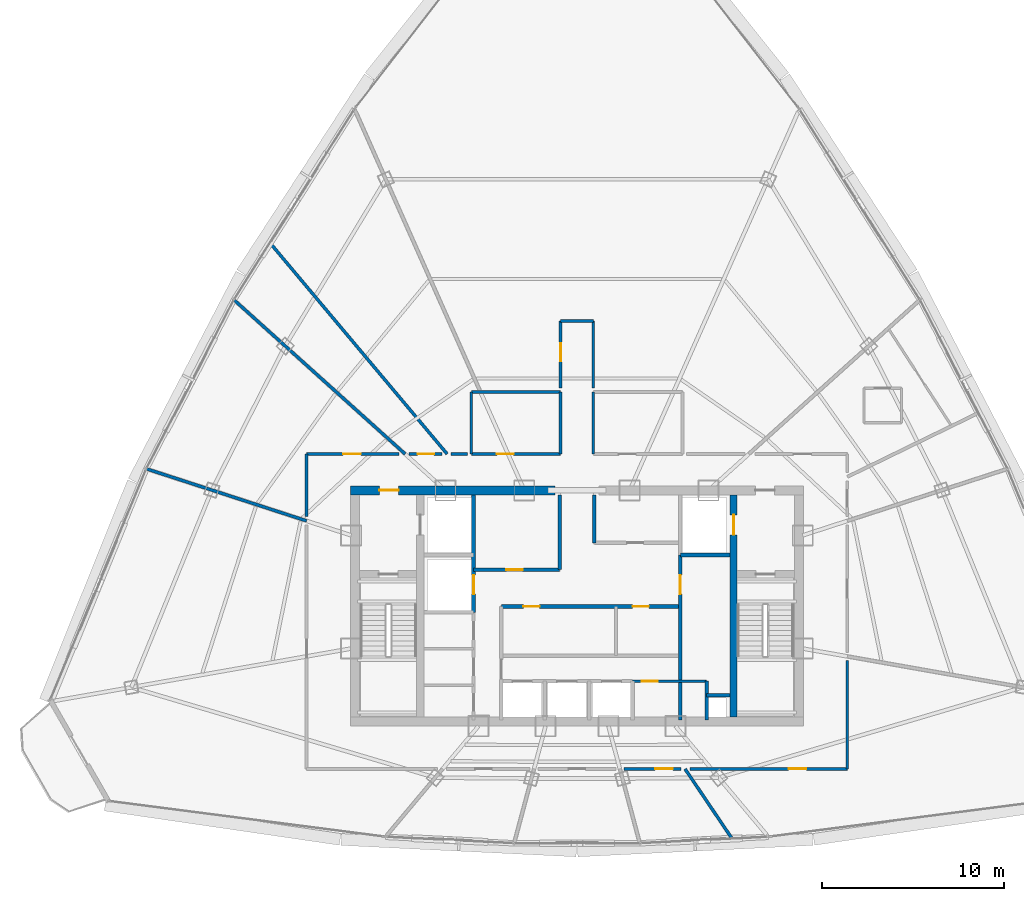
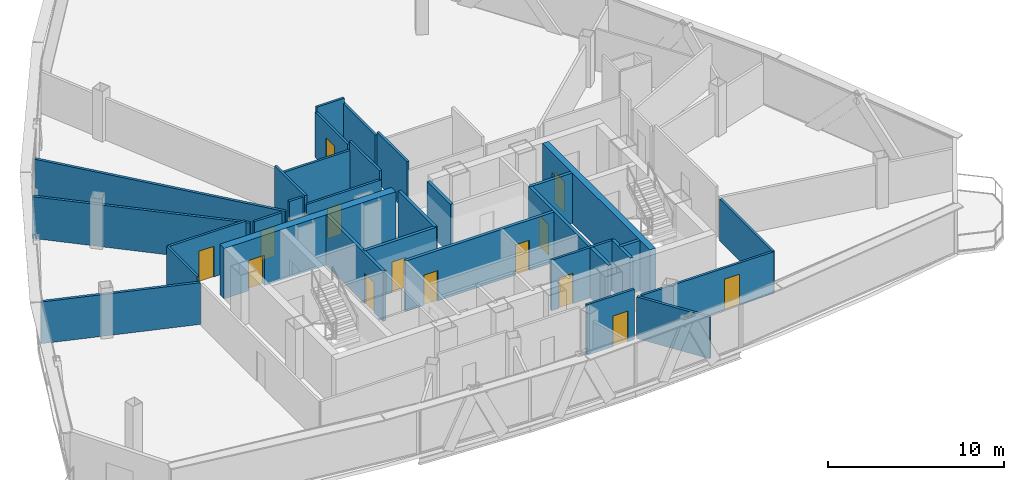
# One storey, part 28 of 33: 31 walls, 14 doors, 14 openings.
"""IFC4 building model written with IfcOpenShell, lengths in metres."""

from ifc_helpers import new_model, si_unit, direction, frame, frame_2d, origin, origin_with_axes, place, context, subcontext, project, spatial, rectangle, extrude, source, transform, mapped, material, layer, layer_set, type_object, element, fill, save


model = new_model("IFC4")

# Units and contexts
model_context = context("Model", 3, precision=1e-05, world=origin(), true_north=direction((0.0, 1.0)))
body_context = subcontext(model_context, "Body", "Model", "MODEL_VIEW")
ifc_project = project(units=[si_unit("LENGTHUNIT", "METRE"), si_unit("AREAUNIT", "SQUARE_METRE"), si_unit("VOLUMEUNIT", "CUBIC_METRE"), si_unit("PLANEANGLEUNIT", "RADIAN"), si_unit("MASSUNIT", "GRAM", prefix="KILO"), si_unit("THERMODYNAMICTEMPERATUREUNIT", "KELVIN"), si_unit("POWERUNIT", "WATT")], contexts=[model_context])

# Site, building, storey
site_placement = place(None, origin())
site = spatial("IfcSite", under=ifc_project, at=site_placement, CompositionType="ELEMENT")
building_placement = place(site_placement, origin())
building = spatial("IfcBuilding", under=site, at=building_placement, Name="Yunzhuo Pagoda Commons", CompositionType="ELEMENT")
storey_placement = place(building_placement, frame((0.0, 0.0, 325.510009765625)))
storey = spatial("IfcBuildingStorey", under=building, at=storey_placement, Name="L81", CompositionType="ELEMENT", Elevation=325.510009765625)

# Wall, opening, door
ifc_material_1 = material(Name="Concrete C50", Category="concrete")
ifc_layer_1 = layer(ifc_material_1, 0.5)
ifc_layer_set_1 = layer_set([ifc_layer_1], Name="Concrete C50")
wall_type_1 = type_object("IfcWallType", Name="W-C03 Upper Core Shear Wall 500", PredefinedType="SHEAR", material=ifc_layer_set_1)
wall_1_placement = place(storey_placement, frame((35.550048828125, 40.199951171875, 0.0), z_axis=(0.0, 0.0, 1.0), x_axis=(1.0, 0.0, 0.0)))
wall_1 = element("IfcWall", 1, at=wall_1_placement, inside=storey, type_object=wall_type_1, Name="L81 core shear wall NW", PredefinedType="SHEAR", context=body_context, shape_type="SweptSolid", body=[
    extrude(rectangle(XDim=11.25, YDim=0.5, at=frame_2d((5.625, 0.0))), origin(), (0.0, 0.0, 1.0), 3.489990234375),
])
opening_1_placement = place(wall_1_placement, frame((1.60009765625, 0.0, 0.0)))
opening_1 = element("IfcOpeningElement", 2, at=opening_1_placement, cuts=wall_1, Name="Opening D-02", PredefinedType="OPENING", context=body_context, shape_type="SweptSolid", body=[
    extrude(rectangle(XDim=1.050048828125, YDim=2.10009765625, at=frame_2d((0.52490234375, 1.050048828125))), frame((0.0, 0.260009765625, 0.0), z_axis=(0.0, -1.0, 0.0), x_axis=(1.0, 0.0, 0.0)), (0.0, 0.0, 1.0), 0.52001953125),
])
ifc_material_2 = material(Name="Galvanized fire-resisting metal leaf")
door_type_1 = type_object("IfcDoorType", Name="D-02 Firefighting Lobby & Refuge Fire Door 1050x2100", OperationType="NOTDEFINED", PredefinedType="DOOR", material=ifc_material_2)
shared_shape_1 = source(origin(), body_context, "Body", "SweptSolid", [
    extrude(rectangle(XDim=1.050048828125, YDim=2.10009765625, at=frame_2d((0.52490234375, 1.050048828125))), frame((0.0, 0.02490234375, 0.0), z_axis=(0.0, -1.0, 0.0), x_axis=(1.0, 0.0, 0.0)), (0.0, 0.0, 1.0), 0.050048828125),
])
door_1_placement = place(opening_1_placement, frame((1.050048828125, 0.0, 0.0), z_axis=(0.0, 0.0, 1.0), x_axis=(-1.0, 0.0, 0.0)))
door_1 = element("IfcDoor", 3, at=door_1_placement, inside=storey, type_object=door_type_1, Name="L81 Firefighting Lobby 1 fire door", OperationType="SINGLE_SWING_LEFT", OverallHeight=2.10009765625, OverallWidth=1.050048828125, PredefinedType="DOOR", context=body_context, shape_type="MappedRepresentation", body=[
    mapped(shared_shape_1, transform((0.0, 0.0, 0.0), scale=1.0)),
])
fill(opening_1, door_1)

ifc_material_3 = material(Name="Gypsum plasterboard on acoustic stud")
ifc_layer_2 = layer(ifc_material_3, 0.14990234375)
ifc_layer_set_2 = layer_set([ifc_layer_2], Name="Gypsum plasterboard on acoustic stud")
wall_type_2 = type_object("IfcWallType", Name="W-COR3 High-Zone Rated Corridor Wall 150", PredefinedType="PARTITIONING", material=ifc_layer_set_2)
wall_2_placement = place(storey_placement, frame((51.050048828125, 29.719970703125, 0.0), z_axis=(0.0, 0.0, 1.0), x_axis=(1.0, 0.0, 0.0)))
wall_2 = element("IfcWall", 4, at=wall_2_placement, inside=storey, type_object=wall_type_2, Name="L81 interior wall IW-L81-CSES", PredefinedType="PARTITIONING", context=body_context, shape_type="SweptSolid", body=[
    extrude(rectangle(XDim=4.070068359375, YDim=0.14990234375, at=frame_2d((2.03515625, 0.0))), origin(), (0.0, 0.0, 1.0), 3.489990234375),
])
opening_2_placement = place(wall_2_placement, frame((0.5, 0.0, 0.0)))
opening_2 = element("IfcOpeningElement", 5, at=opening_2_placement, cuts=wall_2, Name="Opening D-03", PredefinedType="OPENING", context=body_context, shape_type="SweptSolid", body=[
    extrude(rectangle(XDim=0.89990234375, YDim=2.10009765625, at=frame_2d((0.449951171875, 1.050048828125))), frame((0.0, 0.0849609375, 0.0), z_axis=(0.0, -1.0, 0.0), x_axis=(1.0, 0.0, 0.0)), (0.0, 0.0, 1.0), 0.169921875),
])
door_type_2 = type_object("IfcDoorType", Name="D-03 Core Service Fire Door 900x2100", OperationType="NOTDEFINED", PredefinedType="DOOR", material=ifc_material_2)
shared_shape_2 = source(origin(), body_context, "Body", "SweptSolid", [
    extrude(rectangle(XDim=0.89990234375, YDim=2.10009765625, at=frame_2d((0.449951171875, 1.050048828125))), frame((0.0, 0.02490234375, 0.0), z_axis=(0.0, -1.0, 0.0), x_axis=(1.0, 0.0, 0.0)), (0.0, 0.0, 1.0), 0.050048828125),
])
door_2_placement = place(opening_2_placement, origin_with_axes())
door_2 = element("IfcDoor", 6, at=door_2_placement, inside=storey, type_object=door_type_2, Name="L81 core pantry door", OperationType="SINGLE_SWING_RIGHT", OverallHeight=2.10009765625, OverallWidth=0.89990234375, PredefinedType="DOOR", context=body_context, shape_type="MappedRepresentation", body=[
    mapped(shared_shape_2, transform((0.0, 0.0, 0.0), scale=1.0)),
])
fill(opening_2, door_2)

wall_3_placement = place(storey_placement, frame((42.199951171875, 42.199951171875, 0.0), z_axis=(0.0, 0.0, 1.0), x_axis=(1.0, 0.0, 0.0)))
wall_3 = element("IfcWall", 7, at=wall_3_placement, inside=storey, type_object=wall_type_2, Name="L81 interior wall IW-L81-TFWS", PredefinedType="PARTITIONING", context=body_context, shape_type="SweptSolid", body=[
    extrude(rectangle(XDim=4.900146484375, YDim=0.14990234375, at=frame_2d((2.4501953125, 0.0))), origin(), (0.0, 0.0, 1.0), 2.889892578125),
])
opening_3_placement = place(wall_3_placement, frame((1.39990234375, 0.0, 0.0)))
opening_3 = element("IfcOpeningElement", 8, at=opening_3_placement, cuts=wall_3, Name="Opening D-04", PredefinedType="OPENING", context=body_context, shape_type="SweptSolid", body=[
    extrude(rectangle(XDim=0.919921875, YDim=2.10009765625, at=frame_2d((0.4599609375, 1.050048828125))), frame((0.0, 0.0849609375, 0.0), z_axis=(0.0, -1.0, 0.0), x_axis=(1.0, 0.0, 0.0)), (0.0, 0.0, 1.0), 0.169921875),
])
ifc_material_4 = material(Name="Powder-coated aluminium and timber acoustic leaf", Category="wood")
door_type_3 = type_object("IfcDoorType", Name="D-04 Bedroom & Study Interior Door 920x2100", OperationType="NOTDEFINED", PredefinedType="DOOR", material=ifc_material_4)
shared_shape_3 = source(origin(), body_context, "Body", "SweptSolid", [
    extrude(rectangle(XDim=0.919921875, YDim=2.10009765625, at=frame_2d((0.4599609375, 1.050048828125))), frame((0.0, 0.02490234375, 0.0), z_axis=(0.0, -1.0, 0.0), x_axis=(1.0, 0.0, 0.0)), (0.0, 0.0, 1.0), 0.050048828125),
])
door_3_placement = place(opening_3_placement, frame((0.919921875, 0.0, 0.0), z_axis=(0.0, 0.0, 1.0), x_axis=(-1.0, 0.0, 0.0)))
door_3 = element("IfcDoor", 9, at=door_3_placement, inside=storey, type_object=door_type_3, Name="L81 laundry door", OperationType="SINGLE_SWING_LEFT", OverallHeight=2.10009765625, OverallWidth=0.919921875, PredefinedType="DOOR", context=body_context, shape_type="MappedRepresentation", body=[
    mapped(shared_shape_3, transform((0.0, 0.0, 0.0), scale=1.0)),
])
fill(opening_3, door_3)

# Walls
wall_4_placement = place(storey_placement, frame((42.199951171875, 45.60009765625, 0.0), z_axis=(0.0, 0.0, 1.0), x_axis=(1.0, 0.0, 0.0)))
element("IfcWall", 10, at=wall_4_placement, inside=storey, type_object=wall_type_2, Name="L81 interior wall IW-L81-TFWN", PredefinedType="PARTITIONING", context=body_context, shape_type="SweptSolid", body=[
    extrude(rectangle(XDim=4.900146484375, YDim=0.14990234375, at=frame_2d((2.4501953125, 0.0))), origin(), (0.0, 0.0, 1.0), 2.889892578125),
])
for number, where, z_axis, x_axis, name in (
    (11, (42.199951171875, 42.199951171875, 0.0), (0.0, 0.0, 1.0), (0.0, 1.0, 0.0), "L81 interior wall IW-L81-TFWW"),
    (12, (47.10009765625, 42.199951171875, 0.0), (0.0, 0.0, 1.0), (0.0, 1.0, 0.0), "L81 interior wall IW-L81-TFWE"),
    (13, (48.89990234375, 42.199951171875, 0.0), (0.0, 0.0, 1.0), (0.0, 1.0, 0.0), "L81 interior wall IW-L81-TFEW"),
):
    element("IfcWall", number, at=place(storey_placement, frame(where, z_axis=z_axis, x_axis=x_axis)), inside=storey, type_object=wall_type_2, Name=name, PredefinedType="PARTITIONING", context=body_context, shape_type="SweptSolid", body=[
        extrude(rectangle(XDim=3.400146484375, YDim=0.14990234375, at=frame_2d((1.7001953125, 0.0))), origin(), (0.0, 0.0, 1.0), 3.489990234375),
    ])
wall_5_placement = place(storey_placement, frame((33.14990234375, 38.75634765625, 0.0), z_axis=(0.0, 0.0, 1.0), x_axis=(0.0, 1.0, 0.0)))
element("IfcWall", 14, at=wall_5_placement, inside=storey, type_object=wall_type_2, Name="L81 interior wall IW-L81-CWL02", PredefinedType="PARTITIONING", context=body_context, shape_type="SweptSolid", body=[
    extrude(rectangle(XDim=3.443603515625, YDim=0.14990234375, at=frame_2d((1.7216796875, 0.0))), origin(), (0.0, 0.0, 1.0), 3.139892578125),
])

# Wall, opening, door
wall_6_placement = place(storey_placement, frame((33.14990234375, 42.199951171875, 0.0), z_axis=(0.0, 0.0, 1.0), x_axis=(1.0, 0.0, 0.0)))
wall_6 = element("IfcWall", 15, at=wall_6_placement, inside=storey, type_object=wall_type_2, Name="L81 interior wall IW-L81-CWL03", PredefinedType="PARTITIONING", context=body_context, shape_type="SweptSolid", body=[
    extrude(rectangle(XDim=5.0810546875, YDim=0.14990234375, at=frame_2d((2.54052734375, 0.0))), origin(), (0.0, 0.0, 1.0), 3.139892578125),
])
opening_4_placement = place(wall_6_placement, frame((2.0, 0.0, 0.0)))
opening_4 = element("IfcOpeningElement", 16, at=opening_4_placement, cuts=wall_6, Name="Opening D-08", PredefinedType="OPENING", context=body_context, shape_type="SweptSolid", body=[
    extrude(rectangle(XDim=0.97998046875, YDim=2.1201171875, at=frame_2d((0.489990234375, 1.06005859375))), frame((0.0, 0.0849609375, 0.0), z_axis=(0.0, -1.0, 0.0), x_axis=(1.0, 0.0, 0.0)), (0.0, 0.0, 1.0), 0.169921875),
])
door_type_4 = type_object("IfcDoorType", Name="D-08 High-Zone Suite Entrance Fire Door 980x2120", OperationType="NOTDEFINED", PredefinedType="DOOR", material=ifc_material_2)
shared_shape_4 = source(origin(), body_context, "Body", "SweptSolid", [
    extrude(rectangle(XDim=0.97998046875, YDim=2.1201171875, at=frame_2d((0.489990234375, 1.06005859375))), frame((0.0, 0.02490234375, 0.0), z_axis=(0.0, -1.0, 0.0), x_axis=(1.0, 0.0, 0.0)), (0.0, 0.0, 1.0), 0.050048828125),
])
door_4_placement = place(opening_4_placement, origin_with_axes())
door_4 = element("IfcDoor", 17, at=door_4_placement, inside=storey, type_object=door_type_4, Name="L81 unit 07 entrance door", OperationType="SINGLE_SWING_LEFT", OverallHeight=2.1201171875, OverallWidth=0.97998046875, PredefinedType="DOOR", context=body_context, shape_type="MappedRepresentation", body=[
    mapped(shared_shape_4, transform((0.0, 0.0, 0.0), scale=1.0)),
])
fill(opening_4, door_4)

wall_7_placement = place(storey_placement, frame((38.779541015625, 42.199951171875, 0.0), z_axis=(0.0, 0.0, 1.0), x_axis=(1.0, 0.0, 0.0)))
wall_7 = element("IfcWall", 18, at=wall_7_placement, inside=storey, type_object=wall_type_2, Name="L81 interior wall IW-L81-CWL04", PredefinedType="PARTITIONING", context=body_context, shape_type="SweptSolid", body=[
    extrude(rectangle(XDim=1.801025390625, YDim=0.14990234375, at=frame_2d((0.900390625, 0.0))), origin(), (0.0, 0.0, 1.0), 2.889892578125),
])
opening_5_placement = place(wall_7_placement, frame((0.474365234375, 0.0, 0.0)))
opening_5 = element("IfcOpeningElement", 19, at=opening_5_placement, cuts=wall_7, Name="Opening D-12", PredefinedType="OPENING", context=body_context, shape_type="SweptSolid", body=[
    extrude(rectangle(XDim=0.89990234375, YDim=2.080078125, at=frame_2d((0.449951171875, 1.0400390625))), frame((0.0, 0.0849609375, 0.0), z_axis=(0.0, -1.0, 0.0), x_axis=(1.0, 0.0, 0.0)), (0.0, 0.0, 1.0), 0.169921875),
])
door_type_5 = type_object("IfcDoorType", Name="D-12 Quiet Study Interior Door 900x2080", OperationType="NOTDEFINED", PredefinedType="DOOR", material=ifc_material_4)
shared_shape_5 = source(origin(), body_context, "Body", "SweptSolid", [
    extrude(rectangle(XDim=0.89990234375, YDim=2.080078125, at=frame_2d((0.449951171875, 1.0400390625))), frame((0.0, 0.02490234375, 0.0), z_axis=(0.0, -1.0, 0.0), x_axis=(1.0, 0.0, 0.0)), (0.0, 0.0, 1.0), 0.050048828125),
])
door_5_placement = place(opening_5_placement, origin_with_axes())
door_5 = element("IfcDoor", 20, at=door_5_placement, inside=storey, type_object=door_type_5, Name="L81 study lounge 06 door", OperationType="SINGLE_SWING_RIGHT", OverallHeight=2.080078125, OverallWidth=0.89990234375, PredefinedType="DOOR", context=body_context, shape_type="MappedRepresentation", body=[
    mapped(shared_shape_5, transform((0.0, 0.0, 0.0), scale=1.0)),
])
fill(opening_5, door_5)

# Wall
wall_8_placement = place(storey_placement, frame((41.087646484375, 42.199951171875, 0.0), z_axis=(0.0, 0.0, 1.0), x_axis=(1.0, 0.0, 0.0)))
element("IfcWall", 21, at=wall_8_placement, inside=storey, type_object=wall_type_2, Name="L81 interior wall IW-L81-CWL05", PredefinedType="PARTITIONING", context=body_context, shape_type="SweptSolid", body=[
    extrude(rectangle(XDim=0.892333984375, YDim=0.14990234375, at=frame_2d((0.4462890625, 0.0))), origin(), (0.0, 0.0, 1.0), 3.489990234375),
])

# Wall, opening, door
wall_9_placement = place(storey_placement, frame((47.10009765625, 45.820068359375, 0.0), z_axis=(0.0, 0.0, 1.0), x_axis=(0.0, 1.0, 0.0)))
wall_9 = element("IfcWall", 22, at=wall_9_placement, inside=storey, type_object=wall_type_2, Name="L81 interior wall IW-L81-CWL06", PredefinedType="PARTITIONING", context=body_context, shape_type="SweptSolid", body=[
    extrude(rectangle(XDim=3.679931640625, YDim=0.14990234375, at=frame_2d((1.83984375, 0.0))), origin(), (0.0, 0.0, 1.0), 3.139892578125),
])
opening_6_placement = place(wall_9_placement, frame((1.485107421875, 0.0, 0.0)))
opening_6 = element("IfcOpeningElement", 23, at=opening_6_placement, cuts=wall_9, Name="Opening D-08", PredefinedType="OPENING", context=body_context, shape_type="SweptSolid", body=[
    extrude(rectangle(XDim=0.97998046875, YDim=2.1201171875, at=frame_2d((0.489990234375, 1.06005859375))), frame((0.0, 0.0849609375, 0.0), z_axis=(0.0, -1.0, 0.0), x_axis=(1.0, 0.0, 0.0)), (0.0, 0.0, 1.0), 0.169921875),
])
door_6_placement = place(opening_6_placement, origin_with_axes())
door_6 = element("IfcDoor", 24, at=door_6_placement, inside=storey, type_object=door_type_4, Name="L81 Shared Resident Kitchen and Pantry door", OperationType="SINGLE_SWING_RIGHT", OverallHeight=2.1201171875, OverallWidth=0.97998046875, PredefinedType="DOOR", context=body_context, shape_type="MappedRepresentation", body=[
    mapped(shared_shape_4, transform((0.0, 0.0, 0.0), scale=1.0)),
])
fill(opening_6, door_6)

# Walls
wall_10_placement = place(storey_placement, frame((47.10009765625, 49.5, 0.0), z_axis=(0.0, 0.0, 1.0), x_axis=(1.0, 0.0, 0.0)))
element("IfcWall", 25, at=wall_10_placement, inside=storey, type_object=wall_type_2, Name="L81 interior wall IW-L81-CWL07", PredefinedType="PARTITIONING", context=body_context, shape_type="SweptSolid", body=[
    extrude(rectangle(XDim=1.7998046875, YDim=0.14990234375, at=frame_2d((0.89990234375, 0.0))), origin(), (0.0, 0.0, 1.0), 3.489990234375),
])
wall_11_placement = place(storey_placement, frame((48.89990234375, 49.5, 0.0), z_axis=(0.0, 0.0, 1.0), x_axis=(0.0, -1.0, 0.0)))
element("IfcWall", 26, at=wall_11_placement, inside=storey, type_object=wall_type_2, Name="L81 interior wall IW-L81-CWL08", PredefinedType="PARTITIONING", context=body_context, shape_type="SweptSolid", body=[
    extrude(rectangle(XDim=3.679931640625, YDim=0.14990234375, at=frame_2d((1.83984375, 0.0))), origin(), (0.0, 0.0, 1.0), 3.139892578125),
])
wall_12_placement = place(storey_placement, frame((62.85009765625, 30.858154296875, 0.0), z_axis=(0.0, 0.0, 1.0), x_axis=(0.0, -1.0, 0.0)))
element("IfcWall", 27, at=wall_12_placement, inside=storey, type_object=wall_type_2, Name="L81 interior wall IW-L81-CWL14", PredefinedType="PARTITIONING", context=body_context, shape_type="SweptSolid", body=[
    extrude(rectangle(XDim=5.958251953125, YDim=0.14990234375, at=frame_2d((2.97900390625, 0.0))), origin(), (0.0, 0.0, 1.0), 2.889892578125),
])

# Wall, opening, door
wall_13_placement = place(storey_placement, frame((62.85009765625, 24.89990234375, 0.0), z_axis=(0.0, 0.0, 1.0), x_axis=(-1.0, 0.0, 0.0)))
wall_13 = element("IfcWall", 28, at=wall_13_placement, inside=storey, type_object=wall_type_2, Name="L81 interior wall IW-L81-CWL15", PredefinedType="PARTITIONING", context=body_context, shape_type="SweptSolid", body=[
    extrude(rectangle(XDim=8.64892578125, YDim=0.14990234375, at=frame_2d((4.324462890625, 0.0))), origin(), (0.0, 0.0, 1.0), 2.889892578125),
])
opening_7_placement = place(wall_13_placement, frame((2.250244140625, 0.0, 0.0)))
opening_7 = element("IfcOpeningElement", 29, at=opening_7_placement, cuts=wall_13, Name="Opening D-08", PredefinedType="OPENING", context=body_context, shape_type="SweptSolid", body=[
    extrude(rectangle(XDim=0.97998046875, YDim=2.1201171875, at=frame_2d((0.489990234375, 1.06005859375))), frame((0.0, 0.0849609375, 0.0), z_axis=(0.0, -1.0, 0.0), x_axis=(1.0, 0.0, 0.0)), (0.0, 0.0, 1.0), 0.169921875),
])
door_7_placement = place(opening_7_placement, origin_with_axes())
door_7 = element("IfcDoor", 30, at=door_7_placement, inside=storey, type_object=door_type_4, Name="L81 Academic Reading Commons 2 door", OperationType="SINGLE_SWING_RIGHT", OverallHeight=2.1201171875, OverallWidth=0.97998046875, PredefinedType="DOOR", context=body_context, shape_type="MappedRepresentation", body=[
    mapped(shared_shape_4, transform((0.0, 0.0, 0.0), scale=1.0)),
])
fill(opening_7, door_7)

wall_14_placement = place(storey_placement, frame((53.7158203125, 24.89990234375, 0.0), z_axis=(0.0, 0.0, 1.0), x_axis=(-1.0, 0.0, 0.0)))
wall_14 = element("IfcWall", 31, at=wall_14_placement, inside=storey, type_object=wall_type_2, Name="L81 interior wall IW-L81-CWL16", PredefinedType="PARTITIONING", context=body_context, shape_type="SweptSolid", body=[
    extrude(rectangle(XDim=3.130126953125, YDim=0.14990234375, at=frame_2d((1.56494140625, 0.0))), origin(), (0.0, 0.0, 1.0), 3.489990234375),
])
opening_8_placement = place(wall_14_placement, frame((0.449462890625, 0.0, 0.0)))
opening_8 = element("IfcOpeningElement", 32, at=opening_8_placement, cuts=wall_14, Name="Opening D-08", PredefinedType="OPENING", context=body_context, shape_type="SweptSolid", body=[
    extrude(rectangle(XDim=0.97998046875, YDim=2.1201171875, at=frame_2d((0.489990234375, 1.06005859375))), frame((0.0, 0.0849609375, 0.0), z_axis=(0.0, -1.0, 0.0), x_axis=(1.0, 0.0, 0.0)), (0.0, 0.0, 1.0), 0.169921875),
])
door_8_placement = place(opening_8_placement, origin_with_axes())
door_8 = element("IfcDoor", 33, at=door_8_placement, inside=storey, type_object=door_type_4, Name="L81 unit 11 entrance door", OperationType="SINGLE_SWING_LEFT", OverallHeight=2.1201171875, OverallWidth=0.97998046875, PredefinedType="DOOR", context=body_context, shape_type="MappedRepresentation", body=[
    mapped(shared_shape_4, transform((0.0, 0.0, 0.0), scale=1.0)),
])
fill(opening_8, door_8)

# Walls
ifc_layer_3 = layer(ifc_material_3, 0.169921875)
ifc_layer_set_3 = layer_set([ifc_layer_3], Name="Gypsum plasterboard on acoustic stud")
wall_type_3 = type_object("IfcWallType", Name="W-PRT4 High-Zone Demising Wall 170", PredefinedType="PARTITIONING", material=ifc_layer_set_3)
wall_15_placement = place(storey_placement, frame((40.86767578125, 42.199951171875, 0.0), z_axis=(0.0, 0.0, 1.0), x_axis=(-0.642782037032, 0.766049119096, 0.0)))
element("IfcWall", 34, at=wall_15_placement, inside=storey, type_object=wall_type_3, Name="L81 interior wall IW-L81-RAD05", PredefinedType="PARTITIONING", context=body_context, shape_type="SweptSolid", body=[
    extrude(rectangle(XDim=15.1396484375, YDim=0.169921875, at=frame_2d((7.56982421875, 0.0))), origin(), (0.0, 0.0, 1.0), 2.889892578125),
])
wall_16_placement = place(storey_placement, frame((38.559814453125, 42.199951171875, 0.0), z_axis=(0.0, 0.0, 1.0), x_axis=(-0.743143506998, 0.669132070675, 0.0)))
element("IfcWall", 35, at=wall_16_placement, inside=storey, type_object=wall_type_3, Name="L81 interior wall IW-L81-RAD06", PredefinedType="PARTITIONING", context=body_context, shape_type="SweptSolid", body=[
    extrude(rectangle(XDim=12.65380859375, YDim=0.169921875, at=frame_2d((6.326904296875, 0.0))), origin(), (0.0, 0.0, 1.0), 2.889892578125),
])
wall_17_placement = place(storey_placement, frame((33.14990234375, 38.525146484375, 0.0), z_axis=(0.0, 0.0, 1.0), x_axis=(-0.951054035025, 0.309024630836, 0.0)))
element("IfcWall", 36, at=wall_17_placement, inside=storey, type_object=wall_type_3, Name="L81 interior wall IW-L81-RAD07", PredefinedType="PARTITIONING", context=body_context, shape_type="SweptSolid", body=[
    extrude(rectangle(XDim=9.25439453125, YDim=0.169921875, at=frame_2d((4.627197265625, 0.0))), origin(), (0.0, 0.0, 1.0), 2.889892578125),
])
wall_18_placement = place(storey_placement, frame((53.935791015625, 24.89990234375, 0.0), z_axis=(0.0, 0.0, 1.0), x_axis=(0.559204176839, -0.829029968461, 0.0)))
element("IfcWall", 37, at=wall_18_placement, inside=storey, type_object=wall_type_3, Name="L81 interior wall IW-L81-RAD11", PredefinedType="PARTITIONING", context=body_context, shape_type="SweptSolid", body=[
    extrude(rectangle(XDim=4.619873046875, YDim=0.169921875, at=frame_2d((2.31005859375, 0.0))), origin(), (0.0, 0.0, 1.0), 2.889892578125),
])

# Wall, opening, door
ifc_material_5 = material(Name="Concrete C60", Category="concrete")
ifc_layer_4 = layer(ifc_material_5, 0.39990234375)
ifc_layer_set_4 = layer_set([ifc_layer_4], Name="Concrete C60")
wall_type_4 = type_object("IfcWallType", Name="W-S01 Internal Core Shear Web 400", PredefinedType="SHEAR", material=ifc_layer_set_4)
wall_19_placement = place(storey_placement, frame((56.60009765625, 27.75, 0.0), z_axis=(0.0, 0.0, 1.0), x_axis=(0.0, 1.0, 0.0)))
wall_19 = element("IfcWall", 38, at=wall_19_placement, inside=storey, type_object=wall_type_4, Name="L81 core shear wall WEBE", PredefinedType="SHEAR", context=body_context, shape_type="SweptSolid", body=[
    extrude(rectangle(XDim=12.199951171875, YDim=0.39990234375, at=frame_2d((6.10009765625, 0.0))), origin(), (0.0, 0.0, 1.0), 3.489990234375),
])
opening_9_placement = place(wall_19_placement, frame((10.0, 0.0, 0.0)))
opening_9 = element("IfcOpeningElement", 39, at=opening_9_placement, cuts=wall_19, Name="Opening LD-01", PredefinedType="OPENING", context=body_context, shape_type="SweptSolid", body=[
    extrude(rectangle(XDim=1.10009765625, YDim=2.10009765625, at=frame_2d((0.550048828125, 1.050048828125))), frame((0.0, 0.2099609375, 0.0), z_axis=(0.0, -1.0, 0.0), x_axis=(1.0, 0.0, 0.0)), (0.0, 0.0, 1.0), 0.419921875),
])
door_type_6 = type_object("IfcDoorType", Name="LD-01 Firefighting Lift Landing Door 1100x2100", OperationType="DOUBLE_DOOR_SLIDING", PredefinedType="DOOR", material=ifc_material_2)
shared_shape_6 = source(origin(), body_context, "Body", "SweptSolid", [
    extrude(rectangle(XDim=1.10009765625, YDim=2.10009765625, at=frame_2d((0.550048828125, 1.050048828125))), frame((0.0, 0.02490234375, 0.0), z_axis=(0.0, -1.0, 0.0), x_axis=(1.0, 0.0, 0.0)), (0.0, 0.0, 1.0), 0.050048828125),
])
door_9_placement = place(opening_9_placement, origin_with_axes())
door_9 = element("IfcDoor", 40, at=door_9_placement, inside=storey, type_object=door_type_6, Name="L81 Firefighting lift FL-2 landing door", OperationType="DOUBLE_DOOR_SLIDING", OverallHeight=2.10009765625, OverallWidth=1.10009765625, PredefinedType="DOOR", context=body_context, shape_type="MappedRepresentation", body=[
    mapped(shared_shape_6, transform((0.0, 0.0, 0.0), scale=1.0)),
])
fill(opening_9, door_9)

ifc_material_6 = material(Name="Concrete C40", Category="concrete")
ifc_layer_5 = layer(ifc_material_6, 0.199951171875)
ifc_layer_set_5 = layer_set([ifc_layer_5], Name="Concrete C40")
wall_type_5 = type_object("IfcWallType", Name="W-SHF Shaft & Stair Enclosure Wall 200", PredefinedType="SOLIDWALL", material=ifc_layer_set_5)
wall_20_placement = place(storey_placement, frame((42.320068359375, 33.5, 0.0), z_axis=(0.0, 0.0, 1.0), x_axis=(0.0, 1.0, 0.0)))
wall_20 = element("IfcWall", 41, at=wall_20_placement, inside=storey, type_object=wall_type_5, Name="L81 interior wall IW-L81-FL1E", PredefinedType="SOLIDWALL", context=body_context, shape_type="SweptSolid", body=[
    extrude(rectangle(XDim=6.449951171875, YDim=0.199951171875, at=frame_2d((3.22509765625, 0.0))), origin(), (0.0, 0.0, 1.0), 3.489990234375),
])
opening_10_placement = place(wall_20_placement, frame((1.0, 0.0, 0.0)))
opening_10 = element("IfcOpeningElement", 42, at=opening_10_placement, cuts=wall_20, Name="Opening LD-02", PredefinedType="OPENING", context=body_context, shape_type="SweptSolid", body=[
    extrude(rectangle(XDim=1.050048828125, YDim=2.10009765625, at=frame_2d((0.52490234375, 1.050048828125))), frame((0.0, 0.10986328125, 0.0), z_axis=(0.0, -1.0, 0.0), x_axis=(1.0, 0.0, 0.0)), (0.0, 0.0, 1.0), 0.219970703125),
])
door_type_7 = type_object("IfcDoorType", Name="LD-02 Passenger Lift Landing Door 1050x2100", OperationType="DOUBLE_DOOR_SLIDING", PredefinedType="DOOR", material=ifc_material_2)
door_10_placement = place(opening_10_placement, origin_with_axes())
door_10 = element("IfcDoor", 43, at=door_10_placement, inside=storey, type_object=door_type_7, Name="L81 Service lift SL-1 landing door", OperationType="DOUBLE_DOOR_SLIDING", OverallHeight=2.10009765625, OverallWidth=1.050048828125, PredefinedType="DOOR", context=body_context, shape_type="MappedRepresentation", body=[
    mapped(shared_shape_1, transform((0.0, 0.0, 0.0), scale=1.0)),
])
fill(opening_10, door_10)

# Wall
wall_21_placement = place(storey_placement, frame((53.679931640625, 36.64990234375, 0.0), z_axis=(0.0, 0.0, 1.0), x_axis=(1.0, 0.0, 0.0)))
element("IfcWall", 44, at=wall_21_placement, inside=storey, type_object=wall_type_5, Name="L81 interior wall IW-L81-FL2S", PredefinedType="SOLIDWALL", context=body_context, shape_type="SweptSolid", body=[
    extrude(rectangle(XDim=2.719970703125, YDim=0.199951171875, at=frame_2d((1.35986328125, 0.0))), origin(), (0.0, 0.0, 1.0), 3.489990234375),
])

# Wall, opening, door
wall_22_placement = place(storey_placement, frame((42.320068359375, 35.85009765625, 0.0), z_axis=(0.0, 0.0, 1.0), x_axis=(1.0, 0.0, 0.0)))
wall_22 = element("IfcWall", 45, at=wall_22_placement, inside=storey, type_object=wall_type_5, Name="L81 interior wall IW-L81-LBNW", PredefinedType="SOLIDWALL", context=body_context, shape_type="SweptSolid", body=[
    extrude(rectangle(XDim=4.72998046875, YDim=0.199951171875, at=frame_2d((2.364990234375, 0.0))), origin(), (0.0, 0.0, 1.0), 3.489990234375),
])
opening_11_placement = place(wall_22_placement, frame((1.800048828125, 0.0, 0.0)))
opening_11 = element("IfcOpeningElement", 46, at=opening_11_placement, cuts=wall_22, Name="Opening D-03", PredefinedType="OPENING", context=body_context, shape_type="SweptSolid", body=[
    extrude(rectangle(XDim=0.89990234375, YDim=2.10009765625, at=frame_2d((0.449951171875, 1.050048828125))), frame((0.0, 0.10986328125, 0.0), z_axis=(0.0, -1.0, 0.0), x_axis=(1.0, 0.0, 0.0)), (0.0, 0.0, 1.0), 0.219970703125),
])
door_11_placement = place(opening_11_placement, frame((0.89990234375, 0.0, 0.0), z_axis=(0.0, 0.0, 1.0), x_axis=(-1.0, 0.0, 0.0)))
door_11 = element("IfcDoor", 47, at=door_11_placement, inside=storey, type_object=door_type_2, Name="L81 core west store door", OperationType="SINGLE_SWING_LEFT", OverallHeight=2.10009765625, OverallWidth=0.89990234375, PredefinedType="DOOR", context=body_context, shape_type="MappedRepresentation", body=[
    mapped(shared_shape_2, transform((0.0, 0.0, 0.0), scale=1.0)),
])
fill(opening_11, door_11)

# Walls
wall_23_placement = place(storey_placement, frame((47.050048828125, 35.85009765625, 0.0), z_axis=(0.0, 0.0, 1.0), x_axis=(0.0, 1.0, 0.0)))
element("IfcWall", 48, at=wall_23_placement, inside=storey, type_object=wall_type_5, Name="L81 interior wall IW-L81-THRW", PredefinedType="SOLIDWALL", context=body_context, shape_type="SweptSolid", body=[
    extrude(rectangle(XDim=4.099853515625, YDim=0.199951171875, at=frame_2d((2.0498046875, 0.0))), origin(), (0.0, 0.0, 1.0), 3.489990234375),
])
wall_24_placement = place(storey_placement, frame((48.949951171875, 37.320068359375, 0.0), z_axis=(0.0, 0.0, 1.0), x_axis=(0.0, 1.0, 0.0)))
element("IfcWall", 49, at=wall_24_placement, inside=storey, type_object=wall_type_5, Name="L81 interior wall IW-L81-THRE", PredefinedType="SOLIDWALL", context=body_context, shape_type="SweptSolid", body=[
    extrude(rectangle(XDim=2.6298828125, YDim=0.199951171875, at=frame_2d((1.31494140625, 0.0))), origin(), (0.0, 0.0, 1.0), 3.489990234375),
])

# Wall, openings, doors
wall_25_placement = place(storey_placement, frame((43.85009765625, 33.820068359375, 0.0), z_axis=(0.0, 0.0, 1.0), x_axis=(1.0, 0.0, 0.0)))
wall_25 = element("IfcWall", 50, at=wall_25_placement, inside=storey, type_object=wall_type_5, Name="L81 interior wall IW-L81-MLBS", PredefinedType="SOLIDWALL", context=body_context, shape_type="SweptSolid", body=[
    extrude(rectangle(XDim=9.829833984375, YDim=0.199951171875, at=frame_2d((4.9150390625, 0.0))), origin(), (0.0, 0.0, 1.0), 3.489990234375),
])
opening_12_placement = place(wall_25_placement, frame((1.199951171875, 0.0, 0.0)))
opening_12 = element("IfcOpeningElement", 51, at=opening_12_placement, cuts=wall_25, Name="Opening D-03", PredefinedType="OPENING", context=body_context, shape_type="SweptSolid", body=[
    extrude(rectangle(XDim=0.89990234375, YDim=2.10009765625, at=frame_2d((0.449951171875, 1.050048828125))), frame((0.0, 0.10986328125, 0.0), z_axis=(0.0, -1.0, 0.0), x_axis=(1.0, 0.0, 0.0)), (0.0, 0.0, 1.0), 0.219970703125),
])
opening_13_placement = place(wall_25_placement, frame((7.199951171875, 0.0, 0.0)))
opening_13 = element("IfcOpeningElement", 52, at=opening_13_placement, cuts=wall_25, Name="Opening D-03", PredefinedType="OPENING", context=body_context, shape_type="SweptSolid", body=[
    extrude(rectangle(XDim=0.89990234375, YDim=2.10009765625, at=frame_2d((0.449951171875, 1.050048828125))), frame((0.0, 0.10986328125, 0.0), z_axis=(0.0, -1.0, 0.0), x_axis=(1.0, 0.0, 0.0)), (0.0, 0.0, 1.0), 0.219970703125),
])
door_12_placement = place(opening_12_placement, origin_with_axes())
door_12 = element("IfcDoor", 53, at=door_12_placement, inside=storey, type_object=door_type_2, Name="L81 core mid-west store door", OperationType="SINGLE_SWING_LEFT", OverallHeight=2.10009765625, OverallWidth=0.89990234375, PredefinedType="DOOR", context=body_context, shape_type="MappedRepresentation", body=[
    mapped(shared_shape_2, transform((0.0, 0.0, 0.0), scale=1.0)),
])
fill(opening_12, door_12)
door_13_placement = place(opening_13_placement, origin_with_axes())
door_13 = element("IfcDoor", 54, at=door_13_placement, inside=storey, type_object=door_type_2, Name="L81 core mid-east store door", OperationType="SINGLE_SWING_RIGHT", OverallHeight=2.10009765625, OverallWidth=0.89990234375, PredefinedType="DOOR", context=body_context, shape_type="MappedRepresentation", body=[
    mapped(shared_shape_2, transform((0.0, 0.0, 0.0), scale=1.0)),
])
fill(opening_13, door_13)

# Wall, opening, door
wall_26_placement = place(storey_placement, frame((53.679931640625, 27.60009765625, 0.0), z_axis=(0.0, 0.0, 1.0), x_axis=(0.0, 1.0, 0.0)))
wall_26 = element("IfcWall", 55, at=wall_26_placement, inside=storey, type_object=wall_type_5, Name="L81 interior wall IW-L81-PLME", PredefinedType="SOLIDWALL", context=body_context, shape_type="SweptSolid", body=[
    extrude(rectangle(XDim=9.0498046875, YDim=0.199951171875, at=frame_2d((4.52490234375, 0.0))), origin(), (0.0, 0.0, 1.0), 3.489990234375),
])
opening_14_placement = place(wall_26_placement, frame((6.89990234375, 0.0, 0.0)))
opening_14 = element("IfcOpeningElement", 56, at=opening_14_placement, cuts=wall_26, Name="Opening D-02", PredefinedType="OPENING", context=body_context, shape_type="SweptSolid", body=[
    extrude(rectangle(XDim=1.050048828125, YDim=2.10009765625, at=frame_2d((0.52490234375, 1.050048828125))), frame((0.0, 0.10986328125, 0.0), z_axis=(0.0, -1.0, 0.0), x_axis=(1.0, 0.0, 0.0)), (0.0, 0.0, 1.0), 0.219970703125),
])
door_14_placement = place(opening_14_placement, origin_with_axes())
door_14 = element("IfcDoor", 57, at=door_14_placement, inside=storey, type_object=door_type_1, Name="L81 High-bank lift hall door", OperationType="SINGLE_SWING_RIGHT", OverallHeight=2.10009765625, OverallWidth=1.050048828125, PredefinedType="DOOR", context=body_context, shape_type="MappedRepresentation", body=[
    mapped(shared_shape_1, transform((0.0, 0.0, 0.0), scale=1.0)),
])
fill(opening_14, door_14)

# Walls
wall_27_placement = place(storey_placement, frame((55.1201171875, 27.60009765625, 0.0), z_axis=(0.0, 0.0, 1.0), x_axis=(0.0, 1.0, 0.0)))
element("IfcWall", 58, at=wall_27_placement, inside=storey, type_object=wall_type_5, Name="L81 interior wall IW-L81-RSHFW", PredefinedType="SOLIDWALL", context=body_context, shape_type="SweptSolid", body=[
    extrude(rectangle(XDim=2.119873046875, YDim=0.199951171875, at=frame_2d((1.06005859375, 0.0))), origin(), (0.0, 0.0, 1.0), 3.489990234375),
])
wall_28_placement = place(storey_placement, frame((55.1201171875, 28.949951171875, 0.0), z_axis=(0.0, 0.0, 1.0), x_axis=(1.0, 0.0, 0.0)))
element("IfcWall", 59, at=wall_28_placement, inside=storey, type_object=wall_type_5, Name="L81 interior wall IW-L81-RSHFN", PredefinedType="SOLIDWALL", context=body_context, shape_type="SweptSolid", body=[
    extrude(rectangle(XDim=1.27978515625, YDim=0.199951171875, at=frame_2d((0.639892578125, 0.0))), origin(), (0.0, 0.0, 1.0), 3.489990234375),
])

save(model, "model.ifc")
